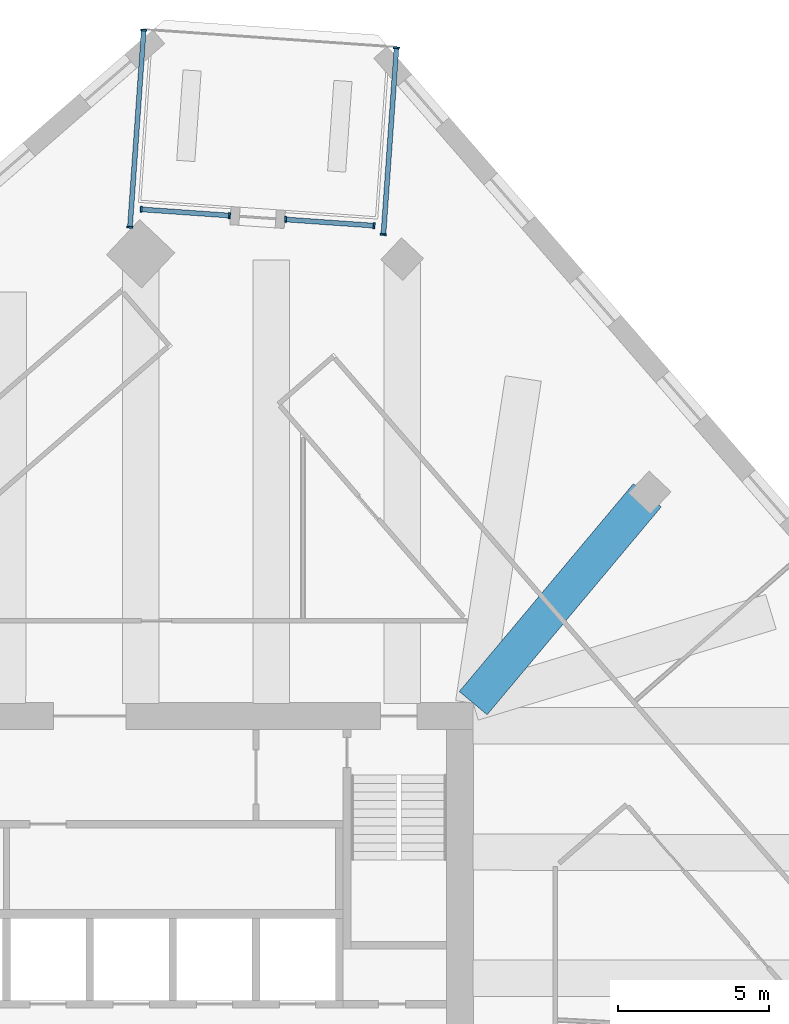
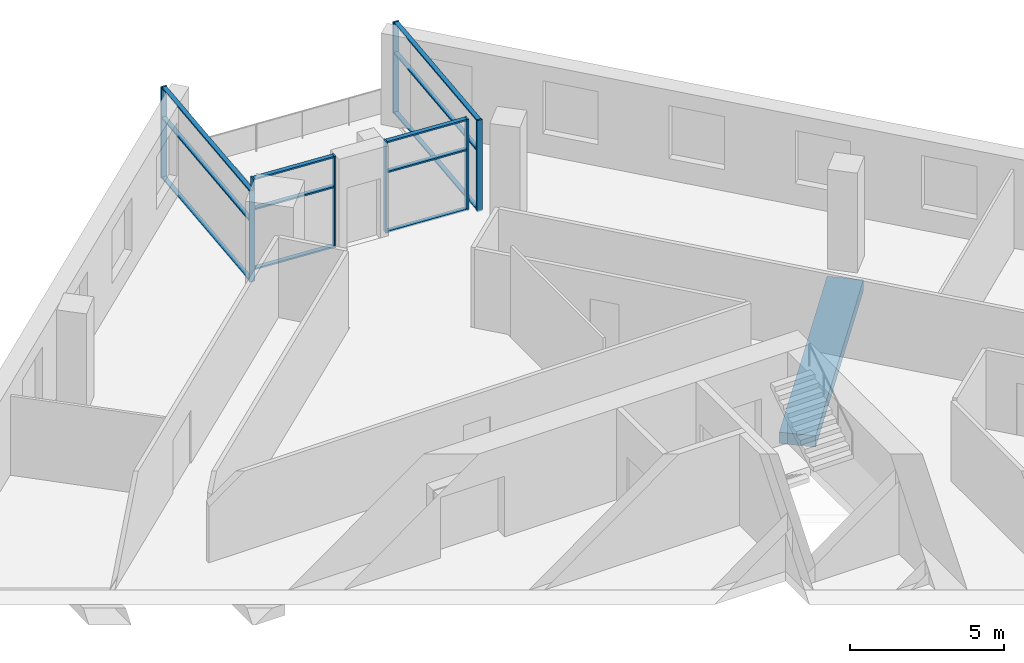
# One storey, part 2 of 11: 20 members, 1 beam, 4 elements without a shape of their own.
"""IFC4 building model written with IfcOpenShell, lengths in metres."""

from ifc_helpers import new_model, si_unit, direction, frame, origin, origin_2d, place, context, subcontext, project, spatial, rectangle, extrude, material, material_profile, profile_set, type_object, element, aggregate, save


model = new_model("IFC4")

# Units and contexts
model_context = context("Model", 3, precision=1e-05, world=origin(), true_north=direction((0.0, 1.0)))
body_context = subcontext(model_context, "Body", "Model", "MODEL_VIEW")
ifc_project = project(units=[si_unit("LENGTHUNIT", "METRE"), si_unit("AREAUNIT", "SQUARE_METRE"), si_unit("VOLUMEUNIT", "CUBIC_METRE"), si_unit("PLANEANGLEUNIT", "RADIAN"), si_unit("MASSUNIT", "GRAM", prefix="KILO")], contexts=[model_context])

# Site, building, storey
site_placement = place(None, origin())
site = spatial("IfcSite", under=ifc_project, at=site_placement, CompositionType="ELEMENT")
building_placement = place(site_placement, origin())
building = spatial("IfcBuilding", under=site, at=building_placement, Name="Dilmun Exchange Tower", CompositionType="ELEMENT")
storey_placement = place(building_placement, frame((0.0, 0.0, 189.300048828125)))
storey = spatial("IfcBuildingStorey", under=building, at=storey_placement, Name="L44", CompositionType="ELEMENT", Elevation=189.300048828125)

# Curtain wall, members
ifc_material_1 = material(Name="Anodised aluminium and clear glass", Category="aluminium")
curtain_wall_type = type_object("IfcCurtainWallType", Name="Garden corner glazing", PredefinedType="NOTDEFINED", material=ifc_material_1)
curtain_wall_1_placement = place(storey_placement, origin())
curtain_wall_1 = element("IfcCurtainWall", 1, at=curtain_wall_1_placement, inside=storey, type_object=curtain_wall_type, Name="Garden corner glazing run GC1.1", PredefinedType="NOTDEFINED")
ifc_material_2 = material(Name="Anodised aluminium", Category="aluminium")
ifc_material_profile_1 = material_profile(ifc_material_2, rectangle(XDim=0.199951171875, YDim=0.06005859375, at=origin_2d()), Name="AL 60x200")
ifc_profile_set_1 = profile_set([ifc_material_profile_1], Name="Anodised aluminium")
member_type_1 = type_object("IfcMemberType", Name="Garden corner glazing mullion 60 x 200", PredefinedType="MULLION", material=ifc_profile_set_1)
member_1_placement = place(storey_placement, frame((10.145263671875, 34.34765625, 0.0), z_axis=(0.0, 0.0, 1.0), x_axis=(0.997564361627, -0.06975202085, 0.0)))
member_1 = element("IfcMember", 2, at=member_1_placement, type_object=member_type_1, Name="GC1.1 mullion 1", PredefinedType="MULLION", context=body_context, shape_type="SweptSolid", body=[
    extrude(rectangle(XDim=0.199951171875, YDim=0.06005859375, at=origin_2d()), origin(), (0.0, 0.0, 1.0), 3.619873046875),
])
member_2_placement = place(storey_placement, frame((9.7138671875, 28.176513671875, 0.0), z_axis=(0.0, 0.0, 1.0), x_axis=(0.997564361627, -0.06975202085, 0.0)))
member_2 = element("IfcMember", 3, at=member_2_placement, type_object=member_type_1, Name="GC1.1 mullion 2", PredefinedType="MULLION", context=body_context, shape_type="SweptSolid", body=[
    extrude(rectangle(XDim=0.199951171875, YDim=0.06005859375, at=origin_2d()), origin(), (0.0, 0.0, 1.0), 3.619873046875),
])

curtain_wall_2_placement = place(storey_placement, origin())
curtain_wall_2 = element("IfcCurtainWall", 4, at=curtain_wall_2_placement, inside=storey, type_object=curtain_wall_type, Name="Garden corner glazing run GC2.1", PredefinedType="NOTDEFINED")
member_3_placement = place(storey_placement, frame((9.4033203125, 28.46875, 0.0), z_axis=(0.0, 0.0, 1.0), x_axis=(-0.069787179845, -0.997561902605, 0.0)))
member_3 = element("IfcMember", 5, at=member_3_placement, type_object=member_type_1, Name="GC2.1 mullion 1", PredefinedType="MULLION", context=body_context, shape_type="SweptSolid", body=[
    extrude(rectangle(XDim=0.199951171875, YDim=0.06005859375, at=origin_2d()), origin(), (0.0, 0.0, 1.0), 3.619873046875),
])
member_4_placement = place(storey_placement, frame((6.4814453125, 28.673095703125, 0.0), z_axis=(0.0, 0.0, 1.0), x_axis=(-0.069787179845, -0.997561902605, 0.0)))
member_4 = element("IfcMember", 6, at=member_4_placement, type_object=member_type_1, Name="GC2.1 mullion 2", PredefinedType="MULLION", context=body_context, shape_type="SweptSolid", body=[
    extrude(rectangle(XDim=0.199951171875, YDim=0.06005859375, at=origin_2d()), origin(), (0.0, 0.0, 1.0), 3.619873046875),
])

curtain_wall_3_placement = place(storey_placement, origin())
curtain_wall_3 = element("IfcCurtainWall", 7, at=curtain_wall_3_placement, inside=storey, type_object=curtain_wall_type, Name="Garden corner glazing run GC2.3", PredefinedType="NOTDEFINED")
member_5_placement = place(storey_placement, frame((4.6259765625, 28.802734375, 0.0), z_axis=(0.0, 0.0, 1.0), x_axis=(-0.069753887652, -0.997564231094, 0.0)))
member_5 = element("IfcMember", 8, at=member_5_placement, type_object=member_type_1, Name="GC2.3 mullion 1", PredefinedType="MULLION", context=body_context, shape_type="SweptSolid", body=[
    extrude(rectangle(XDim=0.199951171875, YDim=0.06005859375, at=origin_2d()), origin(), (0.0, 0.0, 1.0), 3.619873046875),
])
member_6_placement = place(storey_placement, frame((1.7041015625, 29.007080078125, 0.0), z_axis=(0.0, 0.0, 1.0), x_axis=(-0.069753887652, -0.997564231094, 0.0)))
member_6 = element("IfcMember", 9, at=member_6_placement, type_object=member_type_1, Name="GC2.3 mullion 2", PredefinedType="MULLION", context=body_context, shape_type="SweptSolid", body=[
    extrude(rectangle(XDim=0.199951171875, YDim=0.06005859375, at=origin_2d()), origin(), (0.0, 0.0, 1.0), 3.619873046875),
])

curtain_wall_4_placement = place(storey_placement, origin())
curtain_wall_4 = element("IfcCurtainWall", 10, at=curtain_wall_4_placement, inside=storey, type_object=curtain_wall_type, Name="Garden corner glazing run GC3.1", PredefinedType="NOTDEFINED")
member_7_placement = place(storey_placement, frame((1.33203125, 28.4189453125, 0.0), z_axis=(0.0, 0.0, 1.0), x_axis=(-0.99756435583, 0.069752103743, 0.0)))
member_7 = element("IfcMember", 11, at=member_7_placement, type_object=member_type_1, Name="GC3.1 mullion 1", PredefinedType="MULLION", context=body_context, shape_type="SweptSolid", body=[
    extrude(rectangle(XDim=0.199951171875, YDim=0.06005859375, at=origin_2d()), origin(), (0.0, 0.0, 1.0), 3.619873046875),
])
member_8_placement = place(storey_placement, frame((1.78759765625, 34.93212890625, 0.0), z_axis=(0.0, 0.0, 1.0), x_axis=(-0.99756435583, 0.069752103743, 0.0)))
member_8 = element("IfcMember", 12, at=member_8_placement, type_object=member_type_1, Name="GC3.1 mullion 2", PredefinedType="MULLION", context=body_context, shape_type="SweptSolid", body=[
    extrude(rectangle(XDim=0.199951171875, YDim=0.06005859375, at=origin_2d()), origin(), (0.0, 0.0, 1.0), 3.619873046875),
])

# Member
ifc_material_profile_2 = material_profile(ifc_material_2, rectangle(XDim=0.159912109375, YDim=0.06005859375, at=origin_2d()), Name="AL 60x160")
ifc_profile_set_2 = profile_set([ifc_material_profile_2], Name="Anodised aluminium")
member_type_2 = type_object("IfcMemberType", Name="Garden corner glazing transom 60 x 160", PredefinedType="USERDEFINED", material=ifc_profile_set_2)
member_9_placement = place(storey_placement, frame((10.143310546875, 34.31787109375, 0.030029296875), z_axis=(-0.069777178783, -0.997562602207, 0.0), x_axis=(0.997562602207, -0.069777178783, 0.0)))
member_9 = element("IfcMember", 13, at=member_9_placement, type_object=member_type_2, Name="GC1.1 transom 1.1", ObjectType="TRANSOM", PredefinedType="USERDEFINED", context=body_context, shape_type="SweptSolid", body=[
    extrude(rectangle(XDim=0.159912109375, YDim=0.06005859375, at=origin_2d()), origin(), (0.0, 0.0, 1.0), 6.12646484375),
])

member_10_placement = place(storey_placement, frame((10.143310546875, 34.31787109375, 2.39990234375), z_axis=(-0.069777178783, -0.997562602207, 0.0), x_axis=(0.997562602207, -0.069777178783, 0.0)))
member_10 = element("IfcMember", 14, at=member_10_placement, type_object=member_type_2, Name="GC1.1 transom 1.2", ObjectType="TRANSOM", PredefinedType="USERDEFINED", context=body_context, shape_type="SweptSolid", body=[
    extrude(rectangle(XDim=0.159912109375, YDim=0.06005859375, at=origin_2d()), origin(), (0.0, 0.0, 1.0), 6.12646484375),
])

member_11_placement = place(storey_placement, frame((10.143310546875, 34.31787109375, 3.58984375), z_axis=(-0.069777178783, -0.997562602207, 0.0), x_axis=(0.997562602207, -0.069777178783, 0.0)))
member_11 = element("IfcMember", 15, at=member_11_placement, type_object=member_type_2, Name="GC1.1 transom 1.3", ObjectType="TRANSOM", PredefinedType="USERDEFINED", context=body_context, shape_type="SweptSolid", body=[
    extrude(rectangle(XDim=0.159912109375, YDim=0.06005859375, at=origin_2d()), origin(), (0.0, 0.0, 1.0), 6.12646484375),
])

aggregate(curtain_wall_1, [member_1, member_2, member_9, member_10, member_11])

member_12_placement = place(storey_placement, frame((9.37353515625, 28.470703125, 0.030029296875), z_axis=(-0.997562581621, 0.069777473081, 0.0), x_axis=(-0.069777473081, -0.997562581621, 0.0)))
member_12 = element("IfcMember", 16, at=member_12_placement, type_object=member_type_2, Name="GC2.1 transom 1.1", ObjectType="TRANSOM", PredefinedType="USERDEFINED", context=body_context, shape_type="SweptSolid", body=[
    extrude(rectangle(XDim=0.159912109375, YDim=0.06005859375, at=origin_2d()), origin(), (0.0, 0.0, 1.0), 2.869140625),
])

member_13_placement = place(storey_placement, frame((9.37353515625, 28.470703125, 2.39990234375), z_axis=(-0.997562581621, 0.069777473081, 0.0), x_axis=(-0.069777473081, -0.997562581621, 0.0)))
member_13 = element("IfcMember", 17, at=member_13_placement, type_object=member_type_2, Name="GC2.1 transom 1.2", ObjectType="TRANSOM", PredefinedType="USERDEFINED", context=body_context, shape_type="SweptSolid", body=[
    extrude(rectangle(XDim=0.159912109375, YDim=0.06005859375, at=origin_2d()), origin(), (0.0, 0.0, 1.0), 2.869140625),
])

member_14_placement = place(storey_placement, frame((9.37353515625, 28.470703125, 3.58984375), z_axis=(-0.997562581621, 0.069777473081, 0.0), x_axis=(-0.069777473081, -0.997562581621, 0.0)))
member_14 = element("IfcMember", 18, at=member_14_placement, type_object=member_type_2, Name="GC2.1 transom 1.3", ObjectType="TRANSOM", PredefinedType="USERDEFINED", context=body_context, shape_type="SweptSolid", body=[
    extrude(rectangle(XDim=0.159912109375, YDim=0.06005859375, at=origin_2d()), origin(), (0.0, 0.0, 1.0), 2.869140625),
])

aggregate(curtain_wall_2, [member_3, member_4, member_12, member_13, member_14])

member_15_placement = place(storey_placement, frame((4.595947265625, 28.804931640625, 0.030029296875), z_axis=(-0.997562581621, 0.069777473081, 0.0), x_axis=(-0.069777473081, -0.997562581621, 0.0)))
member_15 = element("IfcMember", 19, at=member_15_placement, type_object=member_type_2, Name="GC2.3 transom 1.1", ObjectType="TRANSOM", PredefinedType="USERDEFINED", context=body_context, shape_type="SweptSolid", body=[
    extrude(rectangle(XDim=0.159912109375, YDim=0.06005859375, at=origin_2d()), origin(), (0.0, 0.0, 1.0), 2.869140625),
])

member_16_placement = place(storey_placement, frame((4.595947265625, 28.804931640625, 2.39990234375), z_axis=(-0.997562581621, 0.069777473081, 0.0), x_axis=(-0.069777473081, -0.997562581621, 0.0)))
member_16 = element("IfcMember", 20, at=member_16_placement, type_object=member_type_2, Name="GC2.3 transom 1.2", ObjectType="TRANSOM", PredefinedType="USERDEFINED", context=body_context, shape_type="SweptSolid", body=[
    extrude(rectangle(XDim=0.159912109375, YDim=0.06005859375, at=origin_2d()), origin(), (0.0, 0.0, 1.0), 2.869140625),
])

member_17_placement = place(storey_placement, frame((4.595947265625, 28.804931640625, 3.58984375), z_axis=(-0.997562581621, 0.069777473081, 0.0), x_axis=(-0.069777473081, -0.997562581621, 0.0)))
member_17 = element("IfcMember", 21, at=member_17_placement, type_object=member_type_2, Name="GC2.3 transom 1.3", ObjectType="TRANSOM", PredefinedType="USERDEFINED", context=body_context, shape_type="SweptSolid", body=[
    extrude(rectangle(XDim=0.159912109375, YDim=0.06005859375, at=origin_2d()), origin(), (0.0, 0.0, 1.0), 2.869140625),
])

aggregate(curtain_wall_3, [member_5, member_6, member_15, member_16, member_17])

member_18_placement = place(storey_placement, frame((1.334228515625, 28.448974609375, 0.030029296875), z_axis=(0.069742374557, 0.997565036071, 0.0), x_axis=(-0.997565036071, 0.069742374557, 0.0)))
member_18 = element("IfcMember", 22, at=member_18_placement, type_object=member_type_2, Name="GC3.1 transom 1.1", ObjectType="TRANSOM", PredefinedType="USERDEFINED", context=body_context, shape_type="SweptSolid", body=[
    extrude(rectangle(XDim=0.159912109375, YDim=0.06005859375, at=origin_2d()), origin(), (0.0, 0.0, 1.0), 6.46923828125),
])

member_19_placement = place(storey_placement, frame((1.334228515625, 28.448974609375, 2.39990234375), z_axis=(0.069742374557, 0.997565036071, 0.0), x_axis=(-0.997565036071, 0.069742374557, 0.0)))
member_19 = element("IfcMember", 23, at=member_19_placement, type_object=member_type_2, Name="GC3.1 transom 1.2", ObjectType="TRANSOM", PredefinedType="USERDEFINED", context=body_context, shape_type="SweptSolid", body=[
    extrude(rectangle(XDim=0.159912109375, YDim=0.06005859375, at=origin_2d()), origin(), (0.0, 0.0, 1.0), 6.46923828125),
])

member_20_placement = place(storey_placement, frame((1.334228515625, 28.448974609375, 3.58984375), z_axis=(0.069742374557, 0.997565036071, 0.0), x_axis=(-0.997565036071, 0.069742374557, 0.0)))
member_20 = element("IfcMember", 24, at=member_20_placement, type_object=member_type_2, Name="GC3.1 transom 1.3", ObjectType="TRANSOM", PredefinedType="USERDEFINED", context=body_context, shape_type="SweptSolid", body=[
    extrude(rectangle(XDim=0.159912109375, YDim=0.06005859375, at=origin_2d()), origin(), (0.0, 0.0, 1.0), 6.46923828125),
])

aggregate(curtain_wall_4, [member_7, member_8, member_18, member_19, member_20])

# Beam
ifc_material_3 = material(Name="Concrete C40/50", Category="concrete")
ifc_material_profile_3 = material_profile(ifc_material_3, rectangle(XDim=1.199951171875, YDim=0.449951171875, at=origin_2d()), Name="1200 x 450")
ifc_profile_set_3 = profile_set([ifc_material_profile_3], Name="Concrete C40/50")
beam_type = type_object("IfcBeamType", Name="RC band beam 1200 x 450 C40/50", PredefinedType="BEAM", material=ifc_profile_set_3)
beam_placement = place(storey_placement, frame((18.43994140625, 19.551513671875, -0.705078125), z_axis=(-0.642183104626, -0.766551276911, 0.0), x_axis=(0.766551276911, -0.642183104626, 0.0)))
element("IfcBeam", 25, at=beam_placement, inside=storey, type_object=beam_type, Name="Band beam 15", PredefinedType="BEAM", context=body_context, shape_type="SweptSolid", body=[
    extrude(rectangle(XDim=1.199951171875, YDim=0.449951171875, at=origin_2d()), origin(), (0.0, 0.0, 1.0), 8.96533203125),
])

save(model, "model.ifc")
